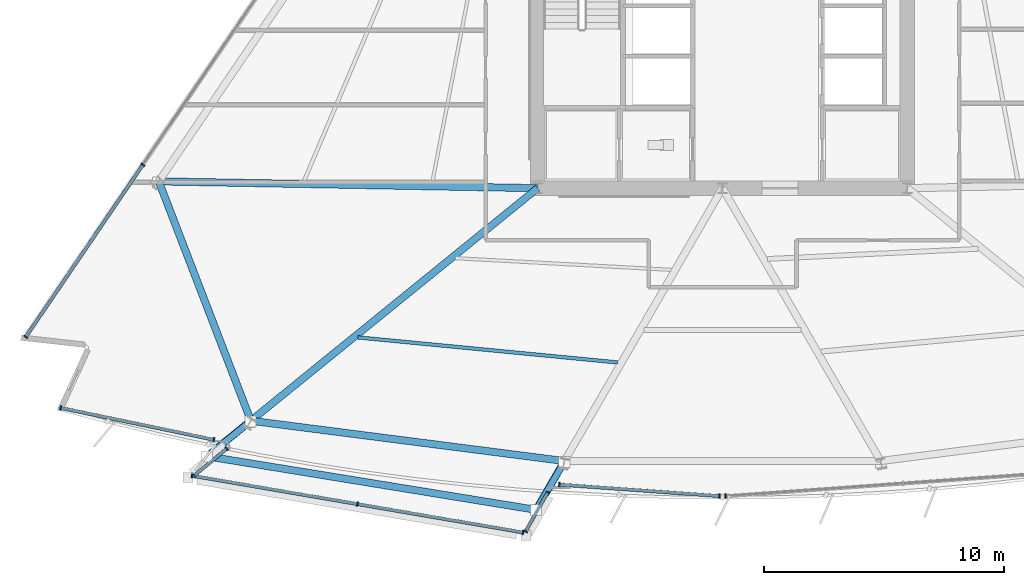
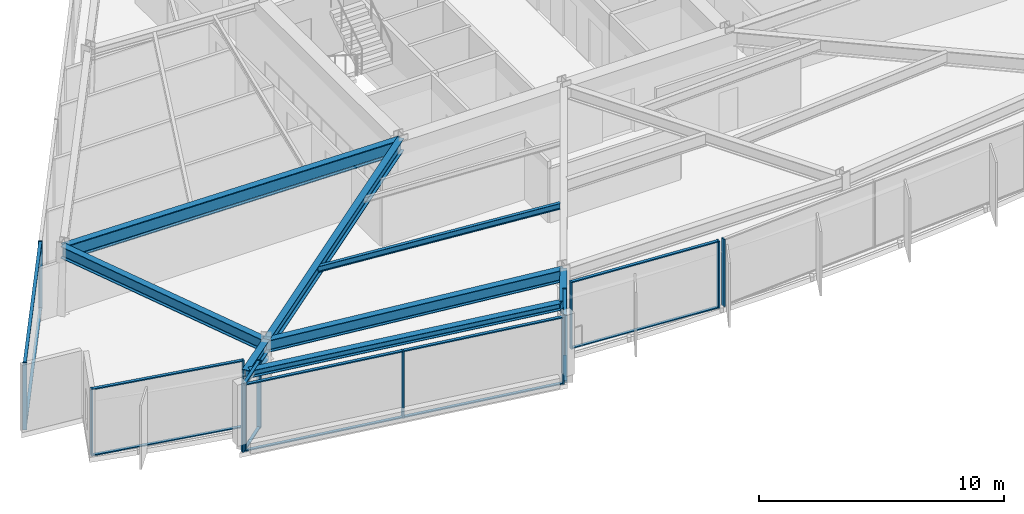
# One storey, part 2 of 17: 30 members, 8 beams, 7 elements without a shape of their own.
"""IFC4 building model written with IfcOpenShell, lengths in metres."""

from ifc_helpers import new_model, si_unit, direction, frame, origin, origin_2d, place, context, subcontext, project, spatial, rectangle, hollow_circle, i_section, extrude, material, material_profile, profile_set, type_object, element, aggregate, save


model = new_model("IFC4")

# Units and contexts
model_context = context("Model", 3, precision=1e-05, world=origin(), true_north=direction((0.0, 1.0)))
body_context = subcontext(model_context, "Body", "Model", "MODEL_VIEW")
ifc_project = project(units=[si_unit("LENGTHUNIT", "METRE"), si_unit("AREAUNIT", "SQUARE_METRE"), si_unit("VOLUMEUNIT", "CUBIC_METRE"), si_unit("PLANEANGLEUNIT", "RADIAN"), si_unit("MASSUNIT", "GRAM", prefix="KILO")], contexts=[model_context])

# Site, building, storey
site_placement = place(None, origin())
site = spatial("IfcSite", under=ifc_project, at=site_placement, CompositionType="ELEMENT")
building_placement = place(site_placement, origin())
building = spatial("IfcBuilding", under=site, at=building_placement, Name="Savorim Split Tower", CompositionType="ELEMENT")
storey_placement = place(building_placement, frame((0.0, 0.0, 58.800048828125)))
storey = spatial("IfcBuildingStorey", under=building, at=storey_placement, Name="L15", CompositionType="ELEMENT", Elevation=58.800048828125)

# Beams
ifc_material_1 = material(Name="Steel S355", Category="steel")
ifc_material_profile_1 = material_profile(ifc_material_1, i_section(OverallWidth=0.14990234375, OverallDepth=0.300048828125, WebThickness=0.007080078125, FlangeThickness=0.0107421875, FilletRadius=0.014892578125, at=origin_2d()), Name="IPE 300")
ifc_profile_set_1 = profile_set([ifc_material_profile_1], Name="Steel S355")
beam_type_1 = type_object("IfcBeamType", Name="BM-JST-IPE300", PredefinedType="JOIST", material=ifc_profile_set_1)
beam_1_placement = place(storey_placement, frame((-15.183349609375, -15.614013671875, 3.199951171875), z_axis=(0.995385193859, -0.095959970024, 0.0), x_axis=(0.095959970024, 0.995385193859, 0.0)))
element("IfcBeam", 1, at=beam_1_placement, inside=storey, type_object=beam_type_1, Name="L15 Secondary Floor Joist JS-01", PredefinedType="JOIST", context=body_context, shape_type="SweptSolid", body=[
    extrude(i_section(OverallWidth=0.14990234375, OverallDepth=0.300048828125, WebThickness=0.007080078125, FlangeThickness=0.0107421875, FilletRadius=0.014892578125, at=origin_2d()), origin(), (0.0, 0.0, 1.0), 10.861083984375),
])
ifc_material_profile_2 = material_profile(ifc_material_1, i_section(OverallWidth=0.300048828125, OverallDepth=0.550048828125, WebThickness=0.014892578125, FlangeThickness=0.029052734375, FilletRadius=0.027099609375, at=origin_2d()), Name="HEB 550")
ifc_profile_set_2 = profile_set([ifc_material_profile_2], Name="Steel S355")
beam_type_2 = type_object("IfcBeamType", Name="BM-PRI-HEB550", PredefinedType="BEAM", material=ifc_profile_set_2)
for number, where, z_axis, x_axis, name in (
    (2, (-19.6416015625, -19.085205078125, 3.074951171875), (-0.776685689913, -0.62988835446, 0.0), (0.62988835446, -0.776685689913, 0.0), "L15 Cantilevered Lounge Rib 1"),
    (3, (-6.5830078125, -20.76171875, 3.074951171875), (-0.501265585215, -0.865293483784, 0.0), (0.865293483784, -0.501265585215, 0.0), "L15 Cantilevered Lounge Rib 2"),
):
    element("IfcBeam", number, at=place(storey_placement, frame(where, z_axis=z_axis, x_axis=x_axis)), inside=storey, type_object=beam_type_2, Name=name, PredefinedType="BEAM", context=body_context, shape_type="SweptSolid", body=[
        extrude(i_section(OverallWidth=0.300048828125, OverallDepth=0.550048828125, WebThickness=0.014892578125, FlangeThickness=0.029052734375, FilletRadius=0.027099609375, at=origin_2d()), origin(), (0.0, 0.0, 1.0), 2.35009765625),
    ])
ifc_material_profile_3 = material_profile(ifc_material_1, i_section(OverallWidth=0.300048828125, OverallDepth=0.60009765625, WebThickness=0.015380859375, FlangeThickness=0.030029296875, FilletRadius=0.027099609375, at=origin_2d()), Name="HEB 600")
ifc_profile_set_3 = profile_set([ifc_material_profile_3], Name="Steel S355")
beam_type_3 = type_object("IfcBeamType", Name="BM-PRI-HEB600", PredefinedType="BEAM", material=ifc_profile_set_3)
beam_2_placement = place(storey_placement, frame((-19.6416015625, -19.085205078125, 3.050048828125), z_axis=(0.776663996605, 0.629915102515, 0.0), x_axis=(-0.629915102515, 0.776663996605, 0.0)))
element("IfcBeam", 4, at=beam_2_placement, inside=storey, type_object=beam_type_3, Name="L15 Primary Floor Girder RG-01", PredefinedType="BEAM", context=body_context, shape_type="SweptSolid", body=[
    extrude(i_section(OverallWidth=0.300048828125, OverallDepth=0.60009765625, WebThickness=0.015380859375, FlangeThickness=0.030029296875, FilletRadius=0.027099609375, at=origin_2d()), origin(), (0.0, 0.0, 1.0), 15.37548828125),
])
ifc_material_2 = material(Name="Steel S460", Category="steel")
ifc_material_profile_4 = material_profile(ifc_material_2, i_section(OverallWidth=0.303955078125, OverallDepth=0.716064453125, WebThickness=0.02099609375, FlangeThickness=0.0400390625, FilletRadius=0.027099609375, at=origin_2d()), Name="HE 700 M")
ifc_profile_set_4 = profile_set([ifc_material_profile_4], Name="Steel S460")
beam_type_4 = type_object("IfcBeamType", Name="BM-PRI-HEM700", PredefinedType="BEAM", material=ifc_profile_set_4)
beam_3_placement = place(storey_placement, frame((-23.475830078125, -9.115966796875, 2.991943359375), z_axis=(0.999838073878, -0.017995166671, 0.0), x_axis=(0.017995166671, 0.999838073878, 0.0)))
element("IfcBeam", 5, at=beam_3_placement, inside=storey, type_object=beam_type_4, Name="L15 Primary Floor Girder RG-10", PredefinedType="BEAM", context=body_context, shape_type="SweptSolid", body=[
    extrude(i_section(OverallWidth=0.303955078125, OverallDepth=0.716064453125, WebThickness=0.02099609375, FlangeThickness=0.0400390625, FilletRadius=0.027099609375, at=origin_2d()), origin(), (0.0, 0.0, 1.0), 15.7783203125),
])
ifc_material_profile_5 = material_profile(ifc_material_1, i_section(OverallWidth=0.300048828125, OverallDepth=0.35009765625, WebThickness=0.010009765625, FlangeThickness=0.017578125, FilletRadius=0.027099609375, at=origin_2d()), Name="HEA 360")
ifc_profile_set_5 = profile_set([ifc_material_profile_5], Name="Steel S355")
beam_type_5 = type_object("IfcBeamType", Name="BM-SPN-HEA360", PredefinedType="SPANDREL", material=ifc_profile_set_5)
beam_4_placement = place(storey_placement, frame((-21.30908203125, -20.59130859375, 3.175048828125), z_axis=(0.987025582204, -0.160563071955, 0.0), x_axis=(0.160563071955, 0.987025582204, 0.0)))
element("IfcBeam", 6, at=beam_4_placement, inside=storey, type_object=beam_type_5, Name="L15 Cantilevered Lounge Front Edge Beam", PredefinedType="SPANDREL", context=body_context, shape_type="SweptSolid", body=[
    extrude(i_section(OverallWidth=0.300048828125, OverallDepth=0.35009765625, WebThickness=0.010009765625, FlangeThickness=0.017578125, FilletRadius=0.027099609375, at=origin_2d()), origin(), (0.0, 0.0, 1.0), 13.566162109375),
])
ifc_material_profile_6 = material_profile(ifc_material_1, i_section(OverallWidth=0.300048828125, OverallDepth=0.590087890625, WebThickness=0.012939453125, FlangeThickness=0.02490234375, FilletRadius=0.027099609375, at=origin_2d()), Name="HEA 600")
ifc_profile_set_6 = profile_set([ifc_material_profile_6], Name="Steel S355")
beam_type_6 = type_object("IfcBeamType", Name="BM-SPN-HEA600", PredefinedType="SPANDREL", material=ifc_profile_set_6)
beam_5_placement = place(storey_placement, frame((-19.6416015625, -19.085205078125, 3.054931640625), z_axis=(0.99185927949, -0.127338798838, 0.0), x_axis=(0.127338798838, 0.99185927949, 0.0)))
element("IfcBeam", 7, at=beam_5_placement, inside=storey, type_object=beam_type_6, Name="L15 Perimeter Spandrel Beam 1", PredefinedType="SPANDREL", context=body_context, shape_type="SweptSolid", body=[
    extrude(i_section(OverallWidth=0.300048828125, OverallDepth=0.590087890625, WebThickness=0.012939453125, FlangeThickness=0.02490234375, FilletRadius=0.027099609375, at=origin_2d()), origin(), (0.0, 0.0, 1.0), 13.165771484375),
])
beam_6_placement = place(storey_placement, frame((-23.475830078125, -9.115966796875, 3.054931640625), z_axis=(0.358971420976, -0.93334855168, 0.0), x_axis=(0.93334855168, 0.358971420976, 0.0)))
element("IfcBeam", 8, at=beam_6_placement, inside=storey, type_object=beam_type_6, Name="L15 Perimeter Spandrel Beam 10", PredefinedType="SPANDREL", context=body_context, shape_type="SweptSolid", body=[
    extrude(i_section(OverallWidth=0.300048828125, OverallDepth=0.590087890625, WebThickness=0.012939453125, FlangeThickness=0.02490234375, FilletRadius=0.027099609375, at=origin_2d()), origin(), (0.0, 0.0, 1.0), 10.68115234375),
])

# Curtain wall, members
ifc_material_3 = material(Name="Dark Ceramic-Fritted Insulated Glass", Category="glass")
curtain_wall_type_1 = type_object("IfcCurtainWallType", Name="CW-TWR-FRIT-A", PredefinedType="NOTDEFINED", material=ifc_material_3)
curtain_wall_1_placement = place(storey_placement, origin())
curtain_wall_1 = element("IfcCurtainWall", 9, at=curtain_wall_1_placement, inside=storey, type_object=curtain_wall_type_1, Name="L15 Curtain Wall CW-L15-SF1A", PredefinedType="NOTDEFINED")
ifc_material_4 = material(Name="Charcoal Anodised Aluminium", Category="aluminium")
ifc_material_profile_7 = material_profile(ifc_material_4, rectangle(XDim=0.179931640625, YDim=0.06494140625, at=origin_2d()), Name="ALU-M 180x65")
ifc_profile_set_7 = profile_set([ifc_material_profile_7], Name="Charcoal Anodised Aluminium")
member_type_1 = type_object("IfcMemberType", Name="CWM-180x65", PredefinedType="MULLION", material=ifc_profile_set_7)
member_1_placement = place(storey_placement, frame((-27.564208984375, -18.551025390625, 0.0), z_axis=(0.0, 0.0, 1.0), x_axis=(0.203209584628, 0.979135263748, 0.0)))
member_1 = element("IfcMember", 10, at=member_1_placement, type_object=member_type_1, Name="CW-02 mullion 1", PredefinedType="MULLION", context=body_context, shape_type="SweptSolid", body=[
    extrude(rectangle(XDim=0.179931640625, YDim=0.06494140625, at=origin_2d()), origin(), (0.0, 0.0, 1.0), 3.349853515625),
])
member_2_placement = place(storey_placement, frame((-21.184814453125, -19.875, 0.0), z_axis=(0.0, 0.0, 1.0), x_axis=(0.203209584628, 0.979135263748, 0.0)))
member_2 = element("IfcMember", 11, at=member_2_placement, type_object=member_type_1, Name="CW-02 mullion 2", PredefinedType="MULLION", context=body_context, shape_type="SweptSolid", body=[
    extrude(rectangle(XDim=0.179931640625, YDim=0.06494140625, at=origin_2d()), origin(), (0.0, 0.0, 1.0), 3.349853515625),
])

curtain_wall_2_placement = place(storey_placement, origin())
curtain_wall_2 = element("IfcCurtainWall", 12, at=curtain_wall_2_placement, inside=storey, type_object=curtain_wall_type_1, Name="L15 Curtain Wall CW-L15-SF2A", PredefinedType="NOTDEFINED")
member_3_placement = place(storey_placement, frame((-6.79541015625, -21.74267578125, 0.0), z_axis=(0.0, 0.0, 1.0), x_axis=(0.071558503422, 0.997436404283, 0.0)))
member_3 = element("IfcMember", 13, at=member_3_placement, type_object=member_type_1, Name="CW-02 mullion 1", PredefinedType="MULLION", context=body_context, shape_type="SweptSolid", body=[
    extrude(rectangle(XDim=0.179931640625, YDim=0.06494140625, at=origin_2d()), origin(), (0.0, 0.0, 1.0), 3.349853515625),
])
member_4_placement = place(storey_placement, frame((-0.12353515625, -22.22119140625, 0.0), z_axis=(0.0, 0.0, 1.0), x_axis=(0.071558503422, 0.997436404283, 0.0)))
member_4 = element("IfcMember", 14, at=member_4_placement, type_object=member_type_1, Name="CW-02 mullion 2", PredefinedType="MULLION", context=body_context, shape_type="SweptSolid", body=[
    extrude(rectangle(XDim=0.179931640625, YDim=0.06494140625, at=origin_2d()), origin(), (0.0, 0.0, 1.0), 3.349853515625),
])

# Curtain wall, member
curtain_wall_3_placement = place(storey_placement, origin())
curtain_wall_3 = element("IfcCurtainWall", 15, at=curtain_wall_3_placement, inside=storey, type_object=curtain_wall_type_1, Name="L15 Curtain Wall CW-L15-SF3A", PredefinedType="NOTDEFINED")
member_5_placement = place(storey_placement, frame((0.12353515625, -22.22119140625, 0.0), z_axis=(0.0, 0.0, 1.0), x_axis=(-0.071558708634, 0.99743638956, 0.0)))
member_5 = element("IfcMember", 16, at=member_5_placement, type_object=member_type_1, Name="CW-02 mullion 1", PredefinedType="MULLION", context=body_context, shape_type="SweptSolid", body=[
    extrude(rectangle(XDim=0.179931640625, YDim=0.06494140625, at=origin_2d()), origin(), (0.0, 0.0, 1.0), 3.349853515625),
])
aggregate(curtain_wall_3, [member_5])

# Curtain wall, members
curtain_wall_type_2 = type_object("IfcCurtainWallType", Name="CW-BAY-LOUNGE", PredefinedType="NOTDEFINED", material=ifc_material_3)
curtain_wall_4_placement = place(storey_placement, origin())
curtain_wall_4 = element("IfcCurtainWall", 17, at=curtain_wall_4_placement, inside=storey, type_object=curtain_wall_type_2, Name="L15 Curtain Wall CW-L15-BAYF", PredefinedType="NOTDEFINED")
member_6_placement = place(storey_placement, frame((-22.08837890625, -21.374267578125, 0.0), z_axis=(0.0, 0.0, 1.0), x_axis=(0.168922704446, 0.985629301473, 0.0)))
member_6 = element("IfcMember", 18, at=member_6_placement, type_object=member_type_1, Name="CW-04 mullion 1", PredefinedType="MULLION", context=body_context, shape_type="SweptSolid", body=[
    extrude(rectangle(XDim=0.179931640625, YDim=0.06494140625, at=origin_2d()), origin(), (0.0, 0.0, 1.0), 3.349853515625),
])
member_7_placement = place(storey_placement, frame((-15.19970703125, -22.554931640625, 0.0), z_axis=(0.0, 0.0, 1.0), x_axis=(0.168922704446, 0.985629301473, 0.0)))
member_7 = element("IfcMember", 19, at=member_7_placement, type_object=member_type_1, Name="CW-04 mullion 2", PredefinedType="MULLION", context=body_context, shape_type="SweptSolid", body=[
    extrude(rectangle(XDim=0.179931640625, YDim=0.06494140625, at=origin_2d()), origin(), (0.0, 0.0, 1.0), 3.349853515625),
])
member_8_placement = place(storey_placement, frame((-8.31103515625, -23.735595703125, 0.0), z_axis=(0.0, 0.0, 1.0), x_axis=(0.168922704446, 0.985629301473, 0.0)))
member_8 = element("IfcMember", 20, at=member_8_placement, type_object=member_type_1, Name="CW-04 mullion 3", PredefinedType="MULLION", context=body_context, shape_type="SweptSolid", body=[
    extrude(rectangle(XDim=0.179931640625, YDim=0.06494140625, at=origin_2d()), origin(), (0.0, 0.0, 1.0), 3.349853515625),
])

curtain_wall_5_placement = place(storey_placement, origin())
curtain_wall_5 = element("IfcCurtainWall", 21, at=curtain_wall_5_placement, inside=storey, type_object=curtain_wall_type_2, Name="L15 Curtain Wall CW-L15-BAYW", PredefinedType="NOTDEFINED")
member_9_placement = place(storey_placement, frame((-20.645263671875, -20.244140625, 0.0), z_axis=(0.0, 0.0, 1.0), x_axis=(0.637607864358, -0.770361091507, 0.0)))
member_9 = element("IfcMember", 22, at=member_9_placement, type_object=member_type_1, Name="CW-04 mullion 1", PredefinedType="MULLION", context=body_context, shape_type="SweptSolid", body=[
    extrude(rectangle(XDim=0.179931640625, YDim=0.06494140625, at=origin_2d()), origin(), (0.0, 0.0, 1.0), 3.349853515625),
])
member_10_placement = place(storey_placement, frame((-22.0087890625, -21.37255859375, 0.0), z_axis=(0.0, 0.0, 1.0), x_axis=(0.637607864358, -0.770361091507, 0.0)))
member_10 = element("IfcMember", 23, at=member_10_placement, type_object=member_type_1, Name="CW-04 mullion 2", PredefinedType="MULLION", context=body_context, shape_type="SweptSolid", body=[
    extrude(rectangle(XDim=0.179931640625, YDim=0.06494140625, at=origin_2d()), origin(), (0.0, 0.0, 1.0), 3.349853515625),
])

curtain_wall_6_placement = place(storey_placement, origin())
curtain_wall_6 = element("IfcCurtainWall", 24, at=curtain_wall_6_placement, inside=storey, type_object=curtain_wall_type_2, Name="L15 Curtain Wall CW-L15-BAYE", PredefinedType="NOTDEFINED")
member_11_placement = place(storey_placement, frame((-8.199462890625, -23.6953125, 0.0), z_axis=(0.0, 0.0, 1.0), x_axis=(-0.870448573332, 0.492259363735, 0.0)))
member_11 = element("IfcMember", 25, at=member_11_placement, type_object=member_type_1, Name="CW-04 mullion 1", PredefinedType="MULLION", context=body_context, shape_type="SweptSolid", body=[
    extrude(rectangle(XDim=0.179931640625, YDim=0.06494140625, at=origin_2d()), origin(), (0.0, 0.0, 1.0), 3.349853515625),
])
member_12_placement = place(storey_placement, frame((-7.2763671875, -22.06298828125, 0.0), z_axis=(0.0, 0.0, 1.0), x_axis=(-0.870448573332, 0.492259363735, 0.0)))
member_12 = element("IfcMember", 26, at=member_12_placement, type_object=member_type_1, Name="CW-04 mullion 2", PredefinedType="MULLION", context=body_context, shape_type="SweptSolid", body=[
    extrude(rectangle(XDim=0.179931640625, YDim=0.06494140625, at=origin_2d()), origin(), (0.0, 0.0, 1.0), 3.349853515625),
])

curtain_wall_7_placement = place(storey_placement, origin())
curtain_wall_7 = element("IfcCurtainWall", 27, at=curtain_wall_7_placement, inside=storey, type_object=curtain_wall_type_1, Name="L15 Curtain Wall CW-L15-WEST", PredefinedType="NOTDEFINED")
member_13_placement = place(storey_placement, frame((-24.13720703125, -8.42578125, 0.0), z_axis=(0.0, 0.0, 1.0), x_axis=(0.826820172644, -0.562466356423, 0.0)))
member_13 = element("IfcMember", 28, at=member_13_placement, type_object=member_type_1, Name="CW-02 mullion 4", PredefinedType="MULLION", context=body_context, shape_type="SweptSolid", body=[
    extrude(rectangle(XDim=0.179931640625, YDim=0.06494140625, at=origin_2d()), origin(), (0.0, 0.0, 1.0), 3.349853515625),
])
member_14_placement = place(storey_placement, frame((-29.014404296875, -15.59521484375, 0.0), z_axis=(0.0, 0.0, 1.0), x_axis=(0.826820172644, -0.562466356423, 0.0)))
member_14 = element("IfcMember", 29, at=member_14_placement, type_object=member_type_1, Name="CW-02 mullion 5", PredefinedType="MULLION", context=body_context, shape_type="SweptSolid", body=[
    extrude(rectangle(XDim=0.179931640625, YDim=0.06494140625, at=origin_2d()), origin(), (0.0, 0.0, 1.0), 3.349853515625),
])

# Member
ifc_material_profile_8 = material_profile(ifc_material_4, rectangle(XDim=0.139892578125, YDim=0.054931640625, at=origin_2d()), Name="ALU-T 140x55")
ifc_profile_set_8 = profile_set([ifc_material_profile_8], Name="Charcoal Anodised Aluminium")
member_type_2 = type_object("IfcMemberType", Name="CWT-140x55", PredefinedType="USERDEFINED", material=ifc_profile_set_8)
member_15_placement = place(storey_placement, frame((-27.532470703125, -18.5576171875, 0.02734375), z_axis=(0.97913568463, -0.203207556659, 0.0), x_axis=(0.203207556659, 0.97913568463, 0.0)))
member_15 = element("IfcMember", 30, at=member_15_placement, type_object=member_type_2, Name="CW-02 transom 1.1", ObjectType="TRANSOM", PredefinedType="USERDEFINED", context=body_context, shape_type="SweptSolid", body=[
    extrude(rectangle(XDim=0.139892578125, YDim=0.054931640625, at=origin_2d()), origin(), (0.0, 0.0, 1.0), 6.450439453125),
])

member_16_placement = place(storey_placement, frame((-27.532470703125, -18.5576171875, 3.322509765625), z_axis=(0.97913568463, -0.203207556659, 0.0), x_axis=(0.203207556659, 0.97913568463, 0.0)))
member_16 = element("IfcMember", 31, at=member_16_placement, type_object=member_type_2, Name="CW-02 transom 1.2", ObjectType="TRANSOM", PredefinedType="USERDEFINED", context=body_context, shape_type="SweptSolid", body=[
    extrude(rectangle(XDim=0.139892578125, YDim=0.054931640625, at=origin_2d()), origin(), (0.0, 0.0, 1.0), 6.450439453125),
])

aggregate(curtain_wall_1, [member_1, member_2, member_15, member_16])

member_17_placement = place(storey_placement, frame((-6.762939453125, -21.744873046875, 0.02734375), z_axis=(0.99743507146, -0.071577078885, 0.0), x_axis=(0.071577078885, 0.99743507146, 0.0)))
member_17 = element("IfcMember", 32, at=member_17_placement, type_object=member_type_2, Name="CW-02 transom 1.1", ObjectType="TRANSOM", PredefinedType="USERDEFINED", context=body_context, shape_type="SweptSolid", body=[
    extrude(rectangle(XDim=0.139892578125, YDim=0.054931640625, at=origin_2d()), origin(), (0.0, 0.0, 1.0), 6.6240234375),
])

member_18_placement = place(storey_placement, frame((-6.762939453125, -21.744873046875, 3.322509765625), z_axis=(0.99743507146, -0.071577078885, 0.0), x_axis=(0.071577078885, 0.99743507146, 0.0)))
member_18 = element("IfcMember", 33, at=member_18_placement, type_object=member_type_2, Name="CW-02 transom 1.2", ObjectType="TRANSOM", PredefinedType="USERDEFINED", context=body_context, shape_type="SweptSolid", body=[
    extrude(rectangle(XDim=0.139892578125, YDim=0.054931640625, at=origin_2d()), origin(), (0.0, 0.0, 1.0), 6.6240234375),
])

aggregate(curtain_wall_2, [member_3, member_4, member_17, member_18])

member_19_placement = place(storey_placement, frame((-22.05615234375, -21.3798828125, 0.02734375), z_axis=(0.985633661162, -0.168897264586, 0.0), x_axis=(0.168897264586, 0.985633661162, 0.0)))
member_19 = element("IfcMember", 34, at=member_19_placement, type_object=member_type_2, Name="CW-04 transom 1.1", ObjectType="TRANSOM", PredefinedType="USERDEFINED", context=body_context, shape_type="SweptSolid", body=[
    extrude(rectangle(XDim=0.139892578125, YDim=0.054931640625, at=origin_2d()), origin(), (0.0, 0.0, 1.0), 6.923828125),
])

member_20_placement = place(storey_placement, frame((-22.05615234375, -21.3798828125, 3.322509765625), z_axis=(0.985633661162, -0.168897264586, 0.0), x_axis=(0.168897264586, 0.985633661162, 0.0)))
member_20 = element("IfcMember", 35, at=member_20_placement, type_object=member_type_2, Name="CW-04 transom 1.2", ObjectType="TRANSOM", PredefinedType="USERDEFINED", context=body_context, shape_type="SweptSolid", body=[
    extrude(rectangle(XDim=0.139892578125, YDim=0.054931640625, at=origin_2d()), origin(), (0.0, 0.0, 1.0), 6.923828125),
])

member_21_placement = place(storey_placement, frame((-15.167724609375, -22.560302734375, 0.02734375), z_axis=(0.985628796973, -0.168925648075, 0.0), x_axis=(0.168925648075, 0.985628796973, 0.0)))
member_21 = element("IfcMember", 36, at=member_21_placement, type_object=member_type_2, Name="CW-04 transom 2.1", ObjectType="TRANSOM", PredefinedType="USERDEFINED", context=body_context, shape_type="SweptSolid", body=[
    extrude(rectangle(XDim=0.139892578125, YDim=0.054931640625, at=origin_2d()), origin(), (0.0, 0.0, 1.0), 6.92431640625),
])

member_22_placement = place(storey_placement, frame((-15.167724609375, -22.560302734375, 3.322509765625), z_axis=(0.985628796973, -0.168925648075, 0.0), x_axis=(0.168925648075, 0.985628796973, 0.0)))
member_22 = element("IfcMember", 37, at=member_22_placement, type_object=member_type_2, Name="CW-04 transom 2.2", ObjectType="TRANSOM", PredefinedType="USERDEFINED", context=body_context, shape_type="SweptSolid", body=[
    extrude(rectangle(XDim=0.139892578125, YDim=0.054931640625, at=origin_2d()), origin(), (0.0, 0.0, 1.0), 6.92431640625),
])

aggregate(curtain_wall_4, [member_6, member_7, member_8, member_19, member_20, member_21, member_22])

member_23_placement = place(storey_placement, frame((-20.670166015625, -20.264892578125, 0.02734375), z_axis=(-0.770353090982, -0.63761753051, 0.0), x_axis=(0.63761753051, -0.770353090982, 0.0)))
member_23 = element("IfcMember", 38, at=member_23_placement, type_object=member_type_2, Name="CW-04 transom 1.1", ObjectType="TRANSOM", PredefinedType="USERDEFINED", context=body_context, shape_type="SweptSolid", body=[
    extrude(rectangle(XDim=0.139892578125, YDim=0.054931640625, at=origin_2d()), origin(), (0.0, 0.0, 1.0), 1.705078125),
])

member_24_placement = place(storey_placement, frame((-20.670166015625, -20.264892578125, 3.322509765625), z_axis=(-0.770353090982, -0.63761753051, 0.0), x_axis=(0.63761753051, -0.770353090982, 0.0)))
member_24 = element("IfcMember", 39, at=member_24_placement, type_object=member_type_2, Name="CW-04 transom 1.2", ObjectType="TRANSOM", PredefinedType="USERDEFINED", context=body_context, shape_type="SweptSolid", body=[
    extrude(rectangle(XDim=0.139892578125, YDim=0.054931640625, at=origin_2d()), origin(), (0.0, 0.0, 1.0), 1.705078125),
])

aggregate(curtain_wall_5, [member_9, member_10, member_23, member_24])

member_25_placement = place(storey_placement, frame((-8.183349609375, -23.6669921875, 0.02734375), z_axis=(0.492168362431, 0.870500030455, 0.0), x_axis=(-0.870500030455, 0.492168362431, 0.0)))
member_25 = element("IfcMember", 40, at=member_25_placement, type_object=member_type_2, Name="CW-04 transom 1.1", ObjectType="TRANSOM", PredefinedType="USERDEFINED", context=body_context, shape_type="SweptSolid", body=[
    extrude(rectangle(XDim=0.139892578125, YDim=0.054931640625, at=origin_2d()), origin(), (0.0, 0.0, 1.0), 1.81005859375),
])

member_26_placement = place(storey_placement, frame((-8.183349609375, -23.6669921875, 3.322509765625), z_axis=(0.492168362431, 0.870500030455, 0.0), x_axis=(-0.870500030455, 0.492168362431, 0.0)))
member_26 = element("IfcMember", 41, at=member_26_placement, type_object=member_type_2, Name="CW-04 transom 1.2", ObjectType="TRANSOM", PredefinedType="USERDEFINED", context=body_context, shape_type="SweptSolid", body=[
    extrude(rectangle(XDim=0.139892578125, YDim=0.054931640625, at=origin_2d()), origin(), (0.0, 0.0, 1.0), 1.81005859375),
])

aggregate(curtain_wall_6, [member_11, member_12, member_25, member_26])

member_27_placement = place(storey_placement, frame((-24.155517578125, -8.45263671875, 0.02734375), z_axis=(-0.562459768651, -0.826824654113, 0.0), x_axis=(0.826824654113, -0.562459768651, 0.0)))
member_27 = element("IfcMember", 42, at=member_27_placement, type_object=member_type_2, Name="CW-02 transom 4.1", ObjectType="TRANSOM", PredefinedType="USERDEFINED", context=body_context, shape_type="SweptSolid", body=[
    extrude(rectangle(XDim=0.139892578125, YDim=0.054931640625, at=origin_2d()), origin(), (0.0, 0.0, 1.0), 8.606201171875),
])

member_28_placement = place(storey_placement, frame((-24.155517578125, -8.45263671875, 3.322509765625), z_axis=(-0.562459768651, -0.826824654113, 0.0), x_axis=(0.826824654113, -0.562459768651, 0.0)))
member_28 = element("IfcMember", 43, at=member_28_placement, type_object=member_type_2, Name="CW-02 transom 4.2", ObjectType="TRANSOM", PredefinedType="USERDEFINED", context=body_context, shape_type="SweptSolid", body=[
    extrude(rectangle(XDim=0.139892578125, YDim=0.054931640625, at=origin_2d()), origin(), (0.0, 0.0, 1.0), 8.606201171875),
])

aggregate(curtain_wall_7, [member_13, member_14, member_27, member_28])

# Members
ifc_material_profile_9 = material_profile(ifc_material_1, hollow_circle(Radius=0.136474609375, WallThickness=0.01611328125, at=origin_2d()), Name="CHS 273x16")
ifc_profile_set_9 = profile_set([ifc_material_profile_9], Name="Steel S355")
member_type_3 = type_object("IfcMemberType", Name="MBR-CRN-CHS273", PredefinedType="BRACE", material=ifc_profile_set_9)
member_29_placement = place(storey_placement, frame((-19.665283203125, -19.12353515625, 2.449951171875), z_axis=(-0.770870932088, -0.616989256663, 0.158373808517), x_axis=(0.624875671019, -0.780724276405, 0.0)))
element("IfcMember", 44, at=member_29_placement, inside=storey, type_object=member_type_3, Name="L15 Cantilevered Bay Support Strut 1", PredefinedType="BRACE", context=body_context, shape_type="SweptSolid", body=[
    extrude(hollow_circle(Radius=0.136474609375, WallThickness=0.01611328125, at=origin_2d()), origin(), (0.0, 0.0, 1.0), 2.3369140625),
])
member_30_placement = place(storey_placement, frame((-6.5908203125, -20.80224609375, 2.449951171875), z_axis=(-0.499961159758, -0.851488200939, 0.158135013184), x_axis=(0.862338576825, -0.506332083636, 0.0)))
element("IfcMember", 45, at=member_30_placement, inside=storey, type_object=member_type_3, Name="L15 Cantilevered Bay Support Strut 2", PredefinedType="BRACE", context=body_context, shape_type="SweptSolid", body=[
    extrude(hollow_circle(Radius=0.136474609375, WallThickness=0.01611328125, at=origin_2d()), origin(), (0.0, 0.0, 1.0), 2.340576171875),
])

save(model, "model.ifc")
